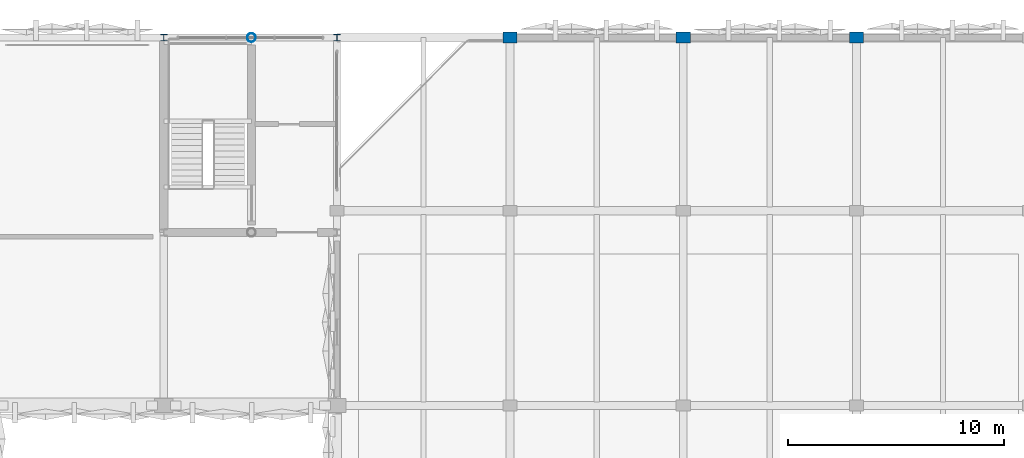
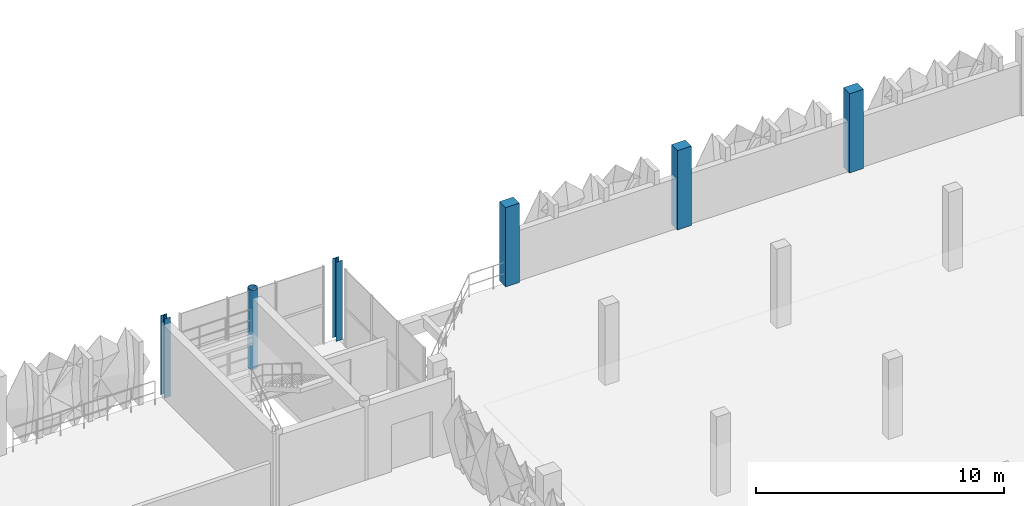
# One storey, part 10 of 76: 6 columns.
"""IFC4 building model written with IfcOpenShell, lengths in metres."""

from ifc_helpers import new_model, si_unit, derived_unit, direction, frame, origin, origin_2d, place, context, subcontext, project, spatial, rectangle, hollow_circle, i_section, extrude, material, material_profile, profile_set, type_object, element, save


model = new_model("IFC4")

# Units and contexts
model_context = context("Model", 3, precision=1e-05, world=origin(), true_north=direction((0.0, 1.0)))
body_context = subcontext(model_context, "Body", "Model", "MODEL_VIEW")
ifc_project = project(units=[si_unit("LENGTHUNIT", "METRE"), si_unit("AREAUNIT", "SQUARE_METRE"), si_unit("VOLUMEUNIT", "CUBIC_METRE"), si_unit("PLANEANGLEUNIT", "RADIAN"), si_unit("MASSUNIT", "GRAM", prefix="KILO"), si_unit("THERMODYNAMICTEMPERATUREUNIT", "KELVIN"), derived_unit("THERMALTRANSMITTANCEUNIT", [(si_unit("POWERUNIT", "WATT"), 1), (si_unit("AREAUNIT", "SQUARE_METRE"), -1), (si_unit("THERMODYNAMICTEMPERATUREUNIT", "KELVIN"), -1)])], contexts=[model_context])

# Site, building, storey
site_placement = place(None, origin())
site = spatial("IfcSite", under=ifc_project, at=site_placement, CompositionType="ELEMENT")
building_placement = place(site_placement, origin())
building = spatial("IfcBuilding", under=site, at=building_placement, Name="Haiyu Intermodal Mobility Hub", CompositionType="ELEMENT")
storey_placement = place(building_placement, frame((0.0, 0.0, 17.300048828125)))
storey = spatial("IfcBuildingStorey", under=building, at=storey_placement, Name="L04", CompositionType="ELEMENT", Elevation=17.300048828125)

# Columns
ifc_material_1 = material(Name="Concrete C40", Category="concrete")
ifc_material_profile_1 = material_profile(ifc_material_1, rectangle(XDim=0.64990234375, YDim=0.5, at=origin_2d()), Name="C650x500")
ifc_profile_set_1 = profile_set([ifc_material_profile_1], Name="Concrete C40")
column_type_1 = type_object("IfcColumnType", Name="COL-CC17-EXT", PredefinedType="COLUMN", material=ifc_profile_set_1)
for number, where, z_axis, x_axis, name in (
    (1, (170.0, 148.0, 0.0), (0.0, 0.0, 1.0), (1.0, 0.0, 0.0), "Column V6-19S L04"),
    (2, (178.0, 148.0, 0.0), (0.0, 0.0, 1.0), (1.0, 0.0, 0.0), "Column V6-20S L04"),
    (3, (186.0, 148.0, 0.0), (0.0, 0.0, 1.0), (1.0, 0.0, 0.0), "Column V6-21S L04"),
):
    element("IfcColumn", number, at=place(storey_placement, frame(where, z_axis=z_axis, x_axis=x_axis)), inside=storey, type_object=column_type_1, Name=name, PredefinedType="COLUMN", context=body_context, shape_type="SweptSolid", body=[
        extrude(rectangle(XDim=0.64990234375, YDim=0.5, at=origin_2d()), origin(), (0.0, 0.0, 1.0), 3.89990234375),
    ])
ifc_material_2 = material(Name="Steel Q355C", Category="steel")
ifc_material_profile_2 = material_profile(ifc_material_2, hollow_circle(Radius=0.202880859375, WallThickness=0.013916015625, at=origin_2d()), Name="CHS406x14")
ifc_profile_set_2 = profile_set([ifc_material_profile_2], Name="Steel Q355C")
column_type_2 = type_object("IfcColumnType", Name="COL-SC03-EXT", PredefinedType="COLUMN", material=ifc_profile_set_2)
column_placement = place(storey_placement, frame((158.050048828125, 148.0, 0.0), z_axis=(0.0, 0.0, 1.0), x_axis=(1.0, 0.0, 0.0)))
element("IfcColumn", 4, at=column_placement, inside=storey, type_object=column_type_2, Name="Column C4-MN L04", PredefinedType="COLUMN", context=body_context, shape_type="SweptSolid", body=[
    extrude(hollow_circle(Radius=0.202880859375, WallThickness=0.013916015625, at=origin_2d()), origin(), (0.0, 0.0, 1.0), 3.89990234375),
])
ifc_material_profile_3 = material_profile(ifc_material_2, i_section(OverallWidth=0.300048828125, OverallDepth=0.300048828125, WebThickness=0.010009765625, FlangeThickness=0.014892578125, FilletRadius=0.01806640625, at=origin_2d()), Name="HW300x300x10x15")
ifc_profile_set_3 = profile_set([ifc_material_profile_3], Name="Steel Q355C")
column_type_3 = type_object("IfcColumnType", Name="COL-SC07-EXT", PredefinedType="COLUMN", material=ifc_profile_set_3)
for number, where, z_axis, x_axis, name in (
    (5, (154.0, 148.0, 0.0), (0.0, 0.0, 1.0), (1.0, 0.0, 0.0), "Column C4-NW L04"),
    (6, (162.0, 148.0, 0.0), (0.0, 0.0, 1.0), (1.0, 0.0, 0.0), "Column C4-NE L04"),
):
    element("IfcColumn", number, at=place(storey_placement, frame(where, z_axis=z_axis, x_axis=x_axis)), inside=storey, type_object=column_type_3, Name=name, PredefinedType="COLUMN", context=body_context, shape_type="SweptSolid", body=[
        extrude(i_section(OverallWidth=0.300048828125, OverallDepth=0.300048828125, WebThickness=0.010009765625, FlangeThickness=0.014892578125, FilletRadius=0.01806640625, at=origin_2d()), origin(), (0.0, 0.0, 1.0), 3.89990234375),
    ])

save(model, "model.ifc")
